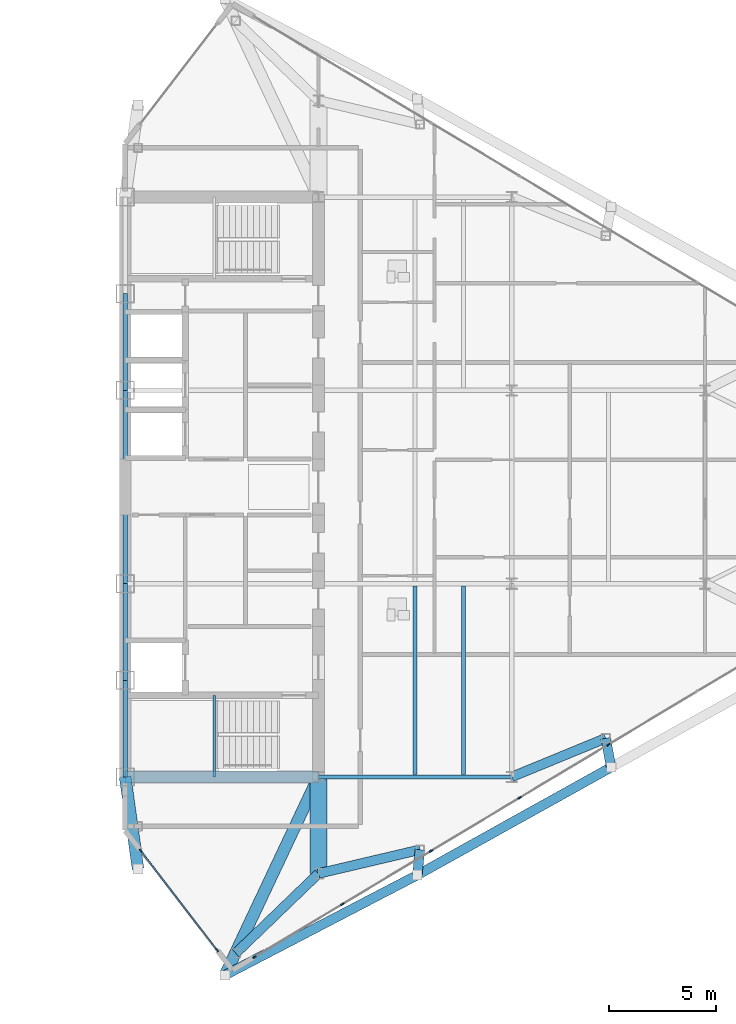
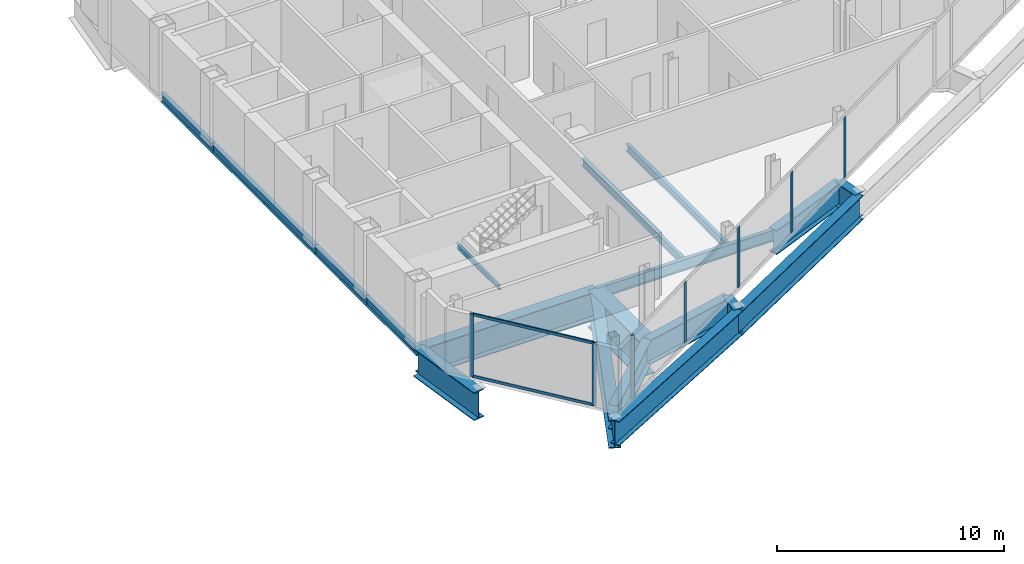
# One storey, part 13 of 29: 19 beams, 9 members, 2 elements without a shape of their own.
"""IFC4 building model written with IfcOpenShell, lengths in metres."""

from ifc_helpers import new_model, si_unit, direction, frame, origin, origin_2d, place, context, subcontext, project, spatial, rectangle, i_section, extrude, source, transform, mapped, material, layer, layer_set, material_profile, profile_set, type_object, type_shapes, element, aggregate, save


model = new_model("IFC4")

# Units and contexts
model_context = context("Model", 3, precision=1e-05, world=origin(), true_north=direction((0.0, 1.0)))
body_context = subcontext(model_context, "Body", "Model", "MODEL_VIEW")
ifc_project = project(units=[si_unit("LENGTHUNIT", "METRE"), si_unit("AREAUNIT", "SQUARE_METRE"), si_unit("VOLUMEUNIT", "CUBIC_METRE"), si_unit("PLANEANGLEUNIT", "RADIAN"), si_unit("MASSUNIT", "GRAM", prefix="KILO")], contexts=[model_context])

# Site, building, storey
site_placement = place(None, origin())
site = spatial("IfcSite", under=ifc_project, at=site_placement, CompositionType="ELEMENT")
building_placement = place(site_placement, origin())
building = spatial("IfcBuilding", under=site, at=building_placement, Name="Seokmaru Belvedere", CompositionType="ELEMENT")
storey_placement = place(building_placement, frame((0.0, 0.0, 195.89990234375)))
storey = spatial("IfcBuildingStorey", under=building, at=storey_placement, Name="L52", CompositionType="ELEMENT", Elevation=195.89990234375)

# Beams
ifc_material_1 = material(Name="Steel SM355 (355 MPa)", Category="steel")
ifc_material_profile_1 = material_profile(ifc_material_1, i_section(OverallWidth=0.199951171875, OverallDepth=0.5, WebThickness=0.010009765625, FlangeThickness=0.01611328125, at=origin_2d()), Name="H-500x200x10x16")
ifc_profile_set_1 = profile_set([ifc_material_profile_1], Name="Steel SM355 (355 MPa)")
beam_type_1 = type_object("IfcBeamType", Name="Perimeter Spandrel Beam H-500", PredefinedType="SPANDREL", material=ifc_profile_set_1)
shared_shape_1 = source(origin(), body_context, "Body", "SweptSolid", [
    extrude(i_section(OverallWidth=0.199951171875, OverallDepth=0.5, WebThickness=0.010009765625, FlangeThickness=0.01611328125, at=origin_2d()), origin(), (0.0, 0.0, 1.0), 4.5),
])
for number, where, z_axis, x_axis, name in (
    (1, (27.5, -13.5, -0.469970703125), (0.0, 1.0, 0.0), (-1.0, 0.0, 0.0), "L52 E Portal Spine Spandrel 1"),
    (2, (27.5, -9.0, -0.469970703125), (0.0, 1.0, 0.0), (-1.0, 0.0, 0.0), "L52 E Portal Spine Spandrel 2"),
    (3, (27.5, 4.5, -0.469970703125), (0.0, 1.0, 0.0), (-1.0, 0.0, 0.0), "L52 E Portal Spine Spandrel 4"),
):
    element("IfcBeam", number, at=place(storey_placement, frame(where, z_axis=z_axis, x_axis=x_axis)), inside=storey, type_object=beam_type_1, Name=name, PredefinedType="SPANDREL", context=body_context, shape_type="MappedRepresentation", body=[
        mapped(shared_shape_1, transform((0.0, 0.0, 0.0), scale=1.0)),
    ])
shared_shape_2 = source(origin(), body_context, "Body", "SweptSolid", [
    extrude(i_section(OverallWidth=0.199951171875, OverallDepth=0.5, WebThickness=0.010009765625, FlangeThickness=0.01611328125, at=origin_2d()), origin(), (0.0, 0.0, 1.0), 9.0),
])
type_shapes(beam_type_1, [shared_shape_1, shared_shape_2])
beam_1_placement = place(storey_placement, frame((27.5, -4.5, -0.469970703125), z_axis=(0.0, 1.0, 0.0), x_axis=(-1.0, 0.0, 0.0)))
element("IfcBeam", 4, at=beam_1_placement, inside=storey, type_object=beam_type_1, Name="L52 E Portal Spine Spandrel 3", PredefinedType="SPANDREL", context=body_context, shape_type="MappedRepresentation", body=[
    mapped(shared_shape_2, transform((0.0, 0.0, 0.0), scale=1.0)),
])
ifc_material_2 = material(Name="Steel HSA650 (650 MPa)", Category="steel")
ifc_material_profile_2 = material_profile(ifc_material_2, i_section(OverallWidth=0.800048828125, OverallDepth=2.0, WebThickness=0.0400390625, FlangeThickness=0.070068359375, at=origin_2d()), Name="BH-2000x800x40x70")
ifc_profile_set_2 = profile_set([ifc_material_profile_2], Name="Steel HSA650 (650 MPa)")
beam_type_2 = type_object("IfcBeamType", Name="Sky-Gate Transfer Truss Chord Girder BH-2000", PredefinedType="BEAM", material=ifc_profile_set_2)
shared_shape_3 = source(origin(), body_context, "Body", "SweptSolid", [
    extrude(i_section(OverallWidth=0.800048828125, OverallDepth=2.0, WebThickness=0.0400390625, FlangeThickness=0.070068359375, at=origin_2d()), origin(), (0.0, 0.0, 1.0), 4.5),
])
type_shapes(beam_type_2, [shared_shape_3])
beam_2_placement = place(storey_placement, frame((36.5, -18.0, -1.219970703125), z_axis=(0.0, 1.0, 0.0), x_axis=(-1.0, 0.0, 0.0)))
element("IfcBeam", 5, at=beam_2_placement, inside=storey, type_object=beam_type_2, Name="L52 E Core Shoulder Girder S", PredefinedType="BEAM", context=body_context, shape_type="MappedRepresentation", body=[
    mapped(shared_shape_3, transform((0.0, 0.0, 0.0), scale=1.0)),
])
ifc_material_profile_3 = material_profile(ifc_material_2, i_section(OverallWidth=0.550048828125, OverallDepth=1.5, WebThickness=0.028076171875, FlangeThickness=0.044921875, at=origin_2d()), Name="BH-1500x550x28x45")
ifc_profile_set_3 = profile_set([ifc_material_profile_3], Name="Steel HSA650 (650 MPa)")
beam_type_3 = type_object("IfcBeamType", Name="Setback Transfer Girder BH-1500", PredefinedType="BEAM", material=ifc_profile_set_3)
shared_shape_4 = source(origin(), body_context, "Body", "SweptSolid", [
    extrude(i_section(OverallWidth=0.550048828125, OverallDepth=1.5, WebThickness=0.028076171875, FlangeThickness=0.044921875, at=origin_2d()), origin(), (0.0, 0.0, 1.0), 9.0),
])
beam_3_placement = place(storey_placement, frame((27.5, -13.5, -0.969970703125), z_axis=(1.0, 0.0, 0.0), x_axis=(0.0, 1.0, 0.0)))
element("IfcBeam", 6, at=beam_3_placement, inside=storey, type_object=beam_type_3, Name="L52 E Core Transfer Header 1", PredefinedType="BEAM", context=body_context, shape_type="MappedRepresentation", body=[
    mapped(shared_shape_4, transform((0.0, 0.0, 0.0), scale=1.0)),
])
ifc_material_profile_4 = material_profile(ifc_material_1, i_section(OverallWidth=0.199951171875, OverallDepth=0.60009765625, WebThickness=0.010986328125, FlangeThickness=0.01708984375, at=origin_2d()), Name="H-600x200x11x17")
ifc_profile_set_4 = profile_set([ifc_material_profile_4], Name="Steel SM355 (355 MPa)")
beam_type_4 = type_object("IfcBeamType", Name="Primary Floor Girder H-600", PredefinedType="BEAM", material=ifc_profile_set_4)
shared_shape_5 = source(origin(), body_context, "Body", "SweptSolid", [
    extrude(i_section(OverallWidth=0.199951171875, OverallDepth=0.60009765625, WebThickness=0.010986328125, FlangeThickness=0.01708984375, at=origin_2d()), origin(), (0.0, 0.0, 1.0), 9.0),
])
type_shapes(beam_type_4, [shared_shape_5])
beam_4_placement = place(storey_placement, frame((36.5, -13.5, -0.52001953125), z_axis=(1.0, 0.0, 0.0), x_axis=(0.0, 1.0, 0.0)))
element("IfcBeam", 7, at=beam_4_placement, inside=storey, type_object=beam_type_4, Name="L52 E Wing Primary Girder 1", PredefinedType="BEAM", context=body_context, shape_type="MappedRepresentation", body=[
    mapped(shared_shape_5, transform((0.0, 0.0, 0.0), scale=1.0)),
])
ifc_material_profile_5 = material_profile(ifc_material_1, i_section(OverallWidth=0.18505859375, OverallDepth=0.389892578125, WebThickness=0.008056640625, FlangeThickness=0.011962890625, at=origin_2d()), Name="H-390x185x8x12")
ifc_profile_set_5 = profile_set([ifc_material_profile_5], Name="Steel SM355 (355 MPa)")
beam_type_5 = type_object("IfcBeamType", Name="Secondary Floor Joist H-350", PredefinedType="JOIST", material=ifc_profile_set_5)
shared_shape_6 = source(origin(), body_context, "Body", "SweptSolid", [
    extrude(i_section(OverallWidth=0.18505859375, OverallDepth=0.389892578125, WebThickness=0.008056640625, FlangeThickness=0.011962890625, at=origin_2d()), origin(), (0.0, 0.0, 1.0), 8.7900390625),
])
type_shapes(beam_type_5, [shared_shape_6])
for number, where, z_axis, x_axis, name in (
    (8, (43.25, -13.39501953125, -0.414794921875), (0.0, 1.0, 0.0), (-1.0, 0.0, 0.0), "L52 E Wing Inner Secondary Joist 1"),
    (9, (41.0, -13.39501953125, -0.414794921875), (0.0, 1.0, 0.0), (-1.0, 0.0, 0.0), "L52 E Secondary Floor Joist 1"),
):
    element("IfcBeam", number, at=place(storey_placement, frame(where, z_axis=z_axis, x_axis=x_axis)), inside=storey, type_object=beam_type_5, Name=name, PredefinedType="JOIST", context=body_context, shape_type="MappedRepresentation", body=[
        mapped(shared_shape_6, transform((0.0, 0.0, 0.0), scale=1.0)),
    ])
ifc_material_profile_6 = material_profile(ifc_material_2, i_section(OverallWidth=0.449951171875, OverallDepth=1.300048828125, WebThickness=0.02197265625, FlangeThickness=0.0380859375, at=origin_2d()), Name="BH-1300x450x22x38")
ifc_profile_set_6 = profile_set([ifc_material_profile_6], Name="Steel HSA650 (650 MPa)")
beam_type_6 = type_object("IfcBeamType", Name="Observatory Long-Span Roof Girder BH-1300", PredefinedType="BEAM", material=ifc_profile_set_6)
shared_shape_7 = source(origin(), body_context, "Body", "SweptSolid", [
    extrude(i_section(OverallWidth=0.449951171875, OverallDepth=1.300048828125, WebThickness=0.02197265625, FlangeThickness=0.0380859375, at=origin_2d()), origin(), (0.0, 0.0, 1.0), 10.09716796875),
])
beam_5_placement = place(storey_placement, frame((32.146728515625, -22.731689453125, -0.869873046875), z_axis=(0.887085728914, 0.461604711369, 0.0), x_axis=(-0.461604711369, 0.887085728914, 0.0)))
element("IfcBeam", 10, at=beam_5_placement, inside=storey, type_object=beam_type_6, Name="L52 E Faceted Flank Spandrel S-1", PredefinedType="BEAM", context=body_context, shape_type="MappedRepresentation", body=[
    mapped(shared_shape_7, transform((0.0, 0.0, 0.0), scale=1.0)),
])
shared_shape_8 = source(origin(), body_context, "Body", "SweptSolid", [
    extrude(i_section(OverallWidth=0.449951171875, OverallDepth=1.300048828125, WebThickness=0.02197265625, FlangeThickness=0.0380859375, at=origin_2d()), origin(), (0.0, 0.0, 1.0), 10.327392578125),
])
beam_6_placement = place(storey_placement, frame((41.103759765625, -18.07080078125, -0.869873046875), z_axis=(0.873924120588, 0.486062374037, 0.0), x_axis=(-0.486062374037, 0.873924120588, 0.0)))
element("IfcBeam", 11, at=beam_6_placement, inside=storey, type_object=beam_type_6, Name="L52 E Faceted Flank Spandrel S-2", PredefinedType="BEAM", context=body_context, shape_type="MappedRepresentation", body=[
    mapped(shared_shape_8, transform((0.0, 0.0, 0.0), scale=1.0)),
])
shared_shape_9 = source(origin(), body_context, "Body", "SweptSolid", [
    extrude(i_section(OverallWidth=0.550048828125, OverallDepth=1.5, WebThickness=0.028076171875, FlangeThickness=0.044921875, at=origin_2d()), origin(), (0.0, 0.0, 1.0), 4.32763671875),
])
beam_7_placement = place(storey_placement, frame((28.10009765625, -17.785888671875, -0.969970703125), z_axis=(-0.138664443237, 0.990339422714, 0.0), x_axis=(-0.990339422714, -0.138664443237, 0.0)))
element("IfcBeam", 12, at=beam_7_placement, inside=storey, type_object=beam_type_3, Name="L52 E Setback Transfer Girder 6", PredefinedType="BEAM", context=body_context, shape_type="MappedRepresentation", body=[
    mapped(shared_shape_9, transform((0.0, 0.0, 0.0), scale=1.0)),
])
shared_shape_10 = source(origin(), body_context, "Body", "SweptSolid", [
    extrude(i_section(OverallWidth=0.550048828125, OverallDepth=1.5, WebThickness=0.028076171875, FlangeThickness=0.044921875, at=origin_2d()), origin(), (0.0, 0.0, 1.0), 10.20654296875),
])
type_shapes(beam_type_3, [shared_shape_4, shared_shape_9, shared_shape_10])
beam_8_placement = place(storey_placement, frame((32.146728515625, -22.731689453125, -0.969970703125), z_axis=(0.426514565186, 0.904480693926, 0.0), x_axis=(-0.904480693926, 0.426514565186, 0.0)))
element("IfcBeam", 13, at=beam_8_placement, inside=storey, type_object=beam_type_3, Name="L52 E Setback Transfer Girder 1", PredefinedType="BEAM", context=body_context, shape_type="MappedRepresentation", body=[
    mapped(shared_shape_10, transform((0.0, 0.0, 0.0), scale=1.0)),
])
shared_shape_11 = source(origin(), body_context, "Body", "SweptSolid", [
    extrude(i_section(OverallWidth=0.449951171875, OverallDepth=1.300048828125, WebThickness=0.02197265625, FlangeThickness=0.0380859375, at=origin_2d()), origin(), (0.0, 0.0, 1.0), 5.34716796875),
])
beam_9_placement = place(storey_placement, frame((32.649658203125, -21.71044921875, -0.869873046875), z_axis=(0.72006669236, 0.693904862754, 0.0), x_axis=(-0.693904862754, 0.72006669236, 0.0)))
element("IfcBeam", 14, at=beam_9_placement, inside=storey, type_object=beam_type_6, Name="L52 E Shoulder Sanity Tie Girder 1", PredefinedType="BEAM", context=body_context, shape_type="MappedRepresentation", body=[
    mapped(shared_shape_11, transform((0.0, 0.0, 0.0), scale=1.0)),
])
shared_shape_12 = source(origin(), body_context, "Body", "SweptSolid", [
    extrude(i_section(OverallWidth=0.449951171875, OverallDepth=1.300048828125, WebThickness=0.02197265625, FlangeThickness=0.0380859375, at=origin_2d()), origin(), (0.0, 0.0, 1.0), 1.1884765625),
])
beam_10_placement = place(storey_placement, frame((41.103759765625, -18.07080078125, -0.869873046875), z_axis=(0.105989159107, 0.994367285339, 0.0), x_axis=(-0.994367285339, 0.105989159107, 0.0)))
element("IfcBeam", 15, at=beam_10_placement, inside=storey, type_object=beam_type_6, Name="L52 E Flank Setback Step Girder S-1", PredefinedType="BEAM", context=body_context, shape_type="MappedRepresentation", body=[
    mapped(shared_shape_12, transform((0.0, 0.0, 0.0), scale=1.0)),
])
shared_shape_13 = source(origin(), body_context, "Body", "SweptSolid", [
    extrude(i_section(OverallWidth=0.449951171875, OverallDepth=1.300048828125, WebThickness=0.02197265625, FlangeThickness=0.0380859375, at=origin_2d()), origin(), (0.0, 0.0, 1.0), 4.8583984375),
])
beam_11_placement = place(storey_placement, frame((41.229736328125, -16.888916015625, -0.869873046875), z_axis=(-0.97349948295, -0.228689214211, 0.0), x_axis=(0.228689214211, -0.97349948295, 0.0)))
element("IfcBeam", 16, at=beam_11_placement, inside=storey, type_object=beam_type_6, Name="L52 E Flank Setback Back-Span Girder S-1", PredefinedType="BEAM", context=body_context, shape_type="MappedRepresentation", body=[
    mapped(shared_shape_13, transform((0.0, 0.0, 0.0), scale=1.0)),
])
shared_shape_14 = source(origin(), body_context, "Body", "SweptSolid", [
    extrude(i_section(OverallWidth=0.449951171875, OverallDepth=1.300048828125, WebThickness=0.02197265625, FlangeThickness=0.0380859375, at=origin_2d()), origin(), (0.0, 0.0, 1.0), 1.374755859375),
])
beam_12_placement = place(storey_placement, frame((50.129150390625, -13.051025390625, -0.869873046875), z_axis=(-0.181307058967, 0.983426535319, 0.0), x_axis=(-0.983426535319, -0.181307058967, 0.0)))
element("IfcBeam", 17, at=beam_12_placement, inside=storey, type_object=beam_type_6, Name="L52 E Flank Setback Step Girder S-2", PredefinedType="BEAM", context=body_context, shape_type="MappedRepresentation", body=[
    mapped(shared_shape_14, transform((0.0, 0.0, 0.0), scale=1.0)),
])
shared_shape_15 = source(origin(), body_context, "Body", "SweptSolid", [
    extrude(i_section(OverallWidth=0.449951171875, OverallDepth=1.300048828125, WebThickness=0.02197265625, FlangeThickness=0.0380859375, at=origin_2d()), origin(), (0.0, 0.0, 1.0), 4.73583984375),
])
type_shapes(beam_type_6, [shared_shape_7, shared_shape_8, shared_shape_11, shared_shape_12, shared_shape_13, shared_shape_14, shared_shape_15])
beam_13_placement = place(storey_placement, frame((49.8798828125, -11.698974609375, -0.869873046875), z_axis=(-0.924860562953, -0.380306375301, 0.0), x_axis=(0.380306375301, -0.924860562953, 0.0)))
element("IfcBeam", 18, at=beam_13_placement, inside=storey, type_object=beam_type_6, Name="L52 E Flank Setback Back-Span Girder S-2", PredefinedType="BEAM", context=body_context, shape_type="MappedRepresentation", body=[
    mapped(shared_shape_15, transform((0.0, 0.0, 0.0), scale=1.0)),
])

# Curtain wall, members
ifc_material_3 = material(Name="Bronze Triple Insulating Glass", Category="glass")
ifc_layer = layer(ifc_material_3, 0.179931640625)
ifc_layer_set = layer_set([ifc_layer], Name="Bronze Triple Insulating Glass")
curtain_wall_type = type_object("IfcCurtainWallType", Name="High-Rise Wind-Corner Curtain Wall System CW-5", PredefinedType="NOTDEFINED", material=ifc_layer_set)
curtain_wall_1_placement = place(storey_placement, origin())
curtain_wall_1 = element("IfcCurtainWall", 19, at=curtain_wall_1_placement, inside=storey, type_object=curtain_wall_type, Name="L52 Curtain Wall EF1", PredefinedType="NOTDEFINED")
ifc_material_4 = material(Name="Anodised Bronze Aluminium", Category="aluminium")
ifc_material_profile_7 = material_profile(ifc_material_4, rectangle(XDim=0.06494140625, YDim=0.179931640625, at=origin_2d()), Name="CW-M-65x180")
ifc_profile_set_7 = profile_set([ifc_material_profile_7], Name="Anodised Bronze Aluminium")
member_type_1 = type_object("IfcMemberType", Name="Bronze Unitised Mullion 65x180", PredefinedType="MULLION", material=ifc_profile_set_7)
shared_shape_16 = source(origin(), body_context, "Body", "SweptSolid", [
    extrude(rectangle(XDim=0.06494140625, YDim=0.179931640625, at=origin_2d()), origin(), (0.0, 0.0, 1.0), 3.25),
])
member_1_placement = place(storey_placement, frame((37.614501953125, -19.43115234375, 0.065185546875), z_axis=(0.0, 0.0, 1.0), x_axis=(-0.514494909364, 0.85749343335, 0.0)))
member_1 = element("IfcMember", 20, at=member_1_placement, type_object=member_type_1, Name="CW:L52:EF1 Mullion 2", PredefinedType="MULLION", context=body_context, shape_type="MappedRepresentation", body=[
    mapped(shared_shape_16, transform((0.0, 0.0, 0.0), scale=1.0)),
])
member_2_placement = place(storey_placement, frame((41.7431640625, -16.9541015625, 0.065185546875), z_axis=(0.0, 0.0, 1.0), x_axis=(-0.514494909364, 0.85749343335, 0.0)))
member_2 = element("IfcMember", 21, at=member_2_placement, type_object=member_type_1, Name="CW:L52:EF1 Mullion 3", PredefinedType="MULLION", context=body_context, shape_type="MappedRepresentation", body=[
    mapped(shared_shape_16, transform((0.0, 0.0, 0.0), scale=1.0)),
])
member_3_placement = place(storey_placement, frame((45.87158203125, -14.47705078125, 0.065185546875), z_axis=(0.0, 0.0, 1.0), x_axis=(-0.514494909364, 0.85749343335, 0.0)))
member_3 = element("IfcMember", 22, at=member_3_placement, type_object=member_type_1, Name="CW:L52:EF1 Mullion 4", PredefinedType="MULLION", context=body_context, shape_type="MappedRepresentation", body=[
    mapped(shared_shape_16, transform((0.0, 0.0, 0.0), scale=1.0)),
])
member_4_placement = place(storey_placement, frame((50.0, -12.0, 0.065185546875), z_axis=(0.0, 0.0, 1.0), x_axis=(-0.514494909364, 0.85749343335, 0.0)))
member_4 = element("IfcMember", 23, at=member_4_placement, type_object=member_type_1, Name="CW:L52:EF1 Mullion 5", PredefinedType="MULLION", context=body_context, shape_type="MappedRepresentation", body=[
    mapped(shared_shape_16, transform((0.0, 0.0, 0.0), scale=1.0)),
])
shared_shape_17 = source(origin(), body_context, "Body", "SweptSolid", [
    extrude(rectangle(XDim=0.06494140625, YDim=0.179931640625, at=origin_2d()), origin(), (0.0, 0.0, 1.0), 3.380126953125),
])
type_shapes(member_type_1, [shared_shape_16, shared_shape_17])
member_5_placement = place(storey_placement, frame((33.513916015625, -21.8916015625, 0.0), z_axis=(0.0, 0.0, 1.0), x_axis=(-0.514494909364, 0.85749343335, 0.0)))
member_5 = element("IfcMember", 24, at=member_5_placement, type_object=member_type_1, Name="CW:L52:EF1 Mullion 1", PredefinedType="MULLION", context=body_context, shape_type="MappedRepresentation", body=[
    mapped(shared_shape_17, transform((0.0, 0.0, 0.0), scale=1.0)),
])
aggregate(curtain_wall_1, [member_5, member_1, member_2, member_3, member_4])

curtain_wall_2_placement = place(storey_placement, origin())
curtain_wall_2 = element("IfcCurtainWall", 25, at=curtain_wall_2_placement, inside=storey, type_object=curtain_wall_type, Name="L52 Curtain Wall EF6", PredefinedType="NOTDEFINED")
member_6_placement = place(storey_placement, frame((28.220947265625, -16.937255859375, 0.0), z_axis=(0.0, 0.0, 1.0), x_axis=(0.792631353244, 0.609701187349, 0.0)))
member_6 = element("IfcMember", 26, at=member_6_placement, type_object=member_type_1, Name="CW:L52:EF6 Mullion 1", PredefinedType="MULLION", context=body_context, shape_type="MappedRepresentation", body=[
    mapped(shared_shape_17, transform((0.0, 0.0, 0.0), scale=1.0)),
])
member_7_placement = place(storey_placement, frame((31.779052734375, -21.562744140625, 0.0), z_axis=(0.0, 0.0, 1.0), x_axis=(0.792631353244, 0.609701187349, 0.0)))
member_7 = element("IfcMember", 27, at=member_7_placement, type_object=member_type_1, Name="CW:L52:EF6 Mullion 2", PredefinedType="MULLION", context=body_context, shape_type="MappedRepresentation", body=[
    mapped(shared_shape_17, transform((0.0, 0.0, 0.0), scale=1.0)),
])
ifc_material_profile_8 = material_profile(ifc_material_4, rectangle(XDim=0.06494140625, YDim=0.14990234375, at=origin_2d()), Name="CW-T-65x150")
ifc_profile_set_8 = profile_set([ifc_material_profile_8], Name="Anodised Bronze Aluminium")
member_type_2 = type_object("IfcMemberType", Name="Bronze Unitised Transom 65x150", PredefinedType="USERDEFINED", material=ifc_profile_set_8)
shared_shape_18 = source(origin(), body_context, "Body", "SweptSolid", [
    extrude(rectangle(XDim=0.06494140625, YDim=0.14990234375, at=origin_2d()), origin(), (0.0, 0.0, 1.0), 5.77099609375),
])
type_shapes(member_type_2, [shared_shape_18])
member_8_placement = place(storey_placement, frame((28.24072265625, -16.962890625, 0.03271484375), z_axis=(0.60970258286, -0.792630279799, 0.0), x_axis=(0.792630279799, 0.60970258286, 0.0)))
member_8 = element("IfcMember", 28, at=member_8_placement, type_object=member_type_2, Name="CW:L52:EF6 Continuous Transom 1", ObjectType="TRANSOM", PredefinedType="USERDEFINED", context=body_context, shape_type="MappedRepresentation", body=[
    mapped(shared_shape_18, transform((0.0, 0.0, 0.0), scale=1.0)),
])
member_9_placement = place(storey_placement, frame((28.24072265625, -16.962890625, 3.34765625), z_axis=(0.60970258286, -0.792630279799, 0.0), x_axis=(0.792630279799, 0.60970258286, 0.0)))
member_9 = element("IfcMember", 29, at=member_9_placement, type_object=member_type_2, Name="CW:L52:EF6 Continuous Transom 2", ObjectType="TRANSOM", PredefinedType="USERDEFINED", context=body_context, shape_type="MappedRepresentation", body=[
    mapped(shared_shape_18, transform((0.0, 0.0, 0.0), scale=1.0)),
])
aggregate(curtain_wall_2, [member_6, member_7, member_8, member_9])

# Beam
ifc_material_profile_9 = material_profile(ifc_material_1, i_section(OverallWidth=0.125, OverallDepth=0.25, WebThickness=0.006103515625, FlangeThickness=0.009033203125, at=origin_2d()), Name="H-250x125x6x9")
ifc_profile_set_9 = profile_set([ifc_material_profile_9], Name="Steel SM355 (355 MPa)")
beam_type_7 = type_object("IfcBeamType", Name="Stair Mid-Landing Support Beam H-250", PredefinedType="JOIST", material=ifc_profile_set_9)
shared_shape_19 = source(origin(), body_context, "Body", "SweptSolid", [
    extrude(i_section(OverallWidth=0.125, OverallDepth=0.25, WebThickness=0.006103515625, FlangeThickness=0.009033203125, at=origin_2d()), origin(), (0.0, 0.0, 1.0), 3.800048828125),
])
type_shapes(beam_type_7, [shared_shape_19])
beam_14_placement = place(storey_placement, frame((31.64990234375, -13.5, 1.47509765625), z_axis=(0.0, 1.0, 0.0), x_axis=(-1.0, 0.0, 0.0)))
element("IfcBeam", 30, at=beam_14_placement, inside=storey, type_object=beam_type_7, Name="L52 Stair ST-E1 Mid-Landing Support Beam 1", PredefinedType="JOIST", context=body_context, shape_type="MappedRepresentation", body=[
    mapped(shared_shape_19, transform((0.0, 0.0, 0.0), scale=1.0)),
])

save(model, "model.ifc")
